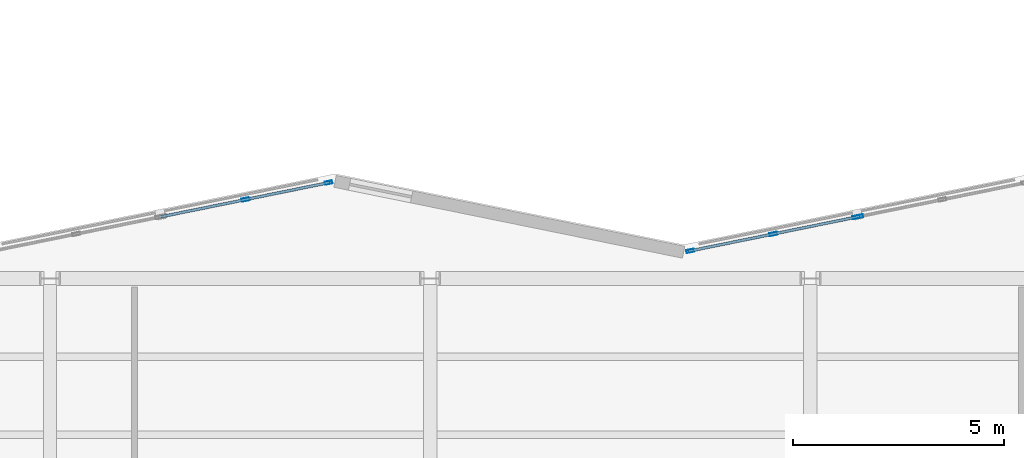
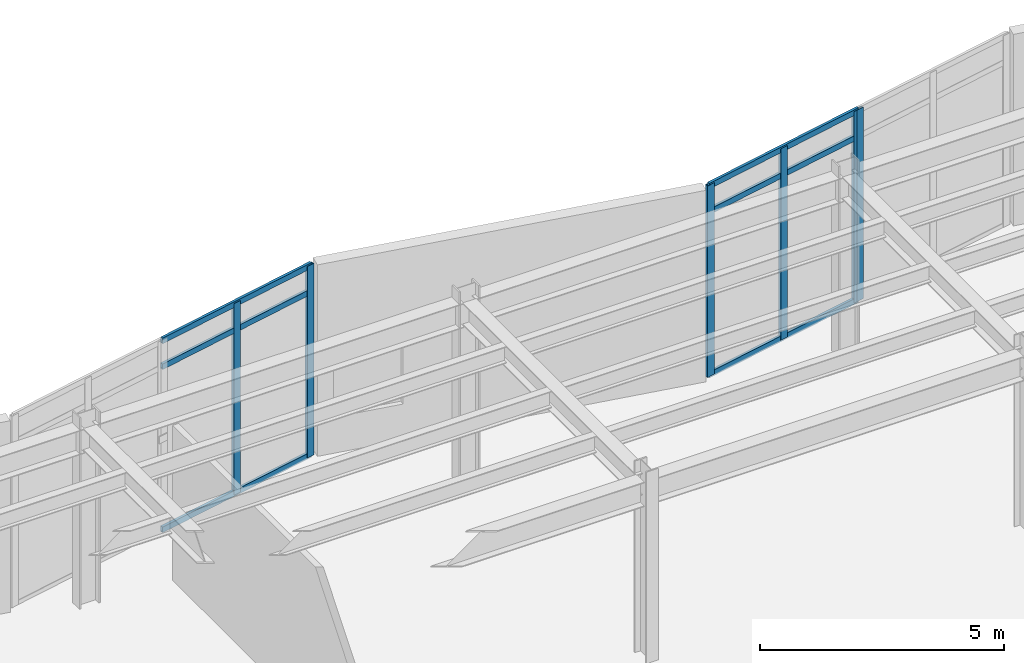
# One storey, part 44 of 91: 12 members, 3 elements without a shape of their own.
"""IFC4 building model written with IfcOpenShell, lengths in metres."""

from ifc_helpers import new_model, si_unit, direction, frame, origin, origin_2d, place, context, subcontext, project, spatial, hollow_rectangle, extrude, material, layer, layer_set, material_profile, profile_set, type_object, element, aggregate, save


model = new_model("IFC4")

# Units and contexts
model_context = context("Model", 3, precision=1e-05, world=origin(), true_north=direction((0.0, 1.0)))
body_context = subcontext(model_context, "Body", "Model", "MODEL_VIEW")
ifc_project = project(units=[si_unit("LENGTHUNIT", "METRE"), si_unit("AREAUNIT", "SQUARE_METRE"), si_unit("VOLUMEUNIT", "CUBIC_METRE"), si_unit("PLANEANGLEUNIT", "RADIAN"), si_unit("MASSUNIT", "GRAM", prefix="KILO")], contexts=[model_context])

# Site, building, storey
site_placement = place(None, origin())
site = spatial("IfcSite", under=ifc_project, at=site_placement, CompositionType="ELEMENT")
building_placement = place(site_placement, origin())
building = spatial("IfcBuilding", under=site, at=building_placement, Name="Sollismere Congress Hotel", CompositionType="ELEMENT")
storey_placement = place(building_placement, frame((0.0, 0.0, 10.800048828125)))
storey = spatial("IfcBuildingStorey", under=building, at=storey_placement, Name="L02", CompositionType="ELEMENT", Elevation=10.800048828125)

# Curtain wall, members
ifc_material_1 = material(Name="Anodized Bronze Curtain Wall & Low-E Triple Glazing", Category="glass")
ifc_layer = layer(ifc_material_1, 0.199951171875, Name="Anodized Bronze Curtain Wall & Low-E Triple Glazing")
ifc_layer_set = layer_set([ifc_layer], Name="Anodized Bronze Curtain Wall & Low-E Triple Glazing")
curtain_wall_type = type_object("IfcCurtainWallType", Name="CW-GLZ36", PredefinedType="USERDEFINED", material=ifc_layer_set)
curtain_wall_1_placement = place(storey_placement, origin())
curtain_wall_1 = element("IfcCurtainWall", 1, at=curtain_wall_1_placement, inside=storey, type_object=curtain_wall_type, Name="Unitised curtain wall CW-L02-100", ObjectType="UNITISED CURTAIN WALL", PredefinedType="USERDEFINED")
ifc_material_2 = material(Name="Anodized Aluminum 6063-T6", Category="aluminium")
ifc_material_profile_1 = material_profile(ifc_material_2, hollow_rectangle(XDim=0.074951171875, YDim=0.179931640625, WallThickness=0.0048828125, at=origin_2d()), Name="ALU180X75X5")
ifc_profile_set_1 = profile_set([ifc_material_profile_1], Name="Anodized Aluminum 6063-T6")
member_type_1 = type_object("IfcMemberType", Name="ML-CW180", PredefinedType="MULLION", material=ifc_profile_set_1)
member_1_placement = place(storey_placement, frame((80.628662109375, 104.266845703125, 0.0), z_axis=(0.0, 0.0, 1.0), x_axis=(-0.199367934417, 0.979924704621, 0.0)))
member_1 = element("IfcMember", 2, at=member_1_placement, type_object=member_type_1, Name="CWL-CW-L02-100-ML02", PredefinedType="MULLION", context=body_context, shape_type="SweptSolid", body=[
    extrude(hollow_rectangle(XDim=0.074951171875, YDim=0.179931640625, WallThickness=0.0048828125, at=origin_2d()), origin(), (0.0, 0.0, 1.0), 4.800048828125),
])
member_2_placement = place(storey_placement, frame((82.59521484375, 104.6669921875, 0.0), z_axis=(0.0, 0.0, 1.0), x_axis=(-0.199367934417, 0.979924704621, 0.0)))
member_2 = element("IfcMember", 3, at=member_2_placement, type_object=member_type_1, Name="CWL-CW-L02-100-ML03", PredefinedType="MULLION", context=body_context, shape_type="SweptSolid", body=[
    extrude(hollow_rectangle(XDim=0.074951171875, YDim=0.179931640625, WallThickness=0.0048828125, at=origin_2d()), origin(), (0.0, 0.0, 1.0), 4.800048828125),
])

curtain_wall_2_placement = place(storey_placement, origin())
curtain_wall_2 = element("IfcCurtainWall", 4, at=curtain_wall_2_placement, inside=storey, type_object=curtain_wall_type, Name="Unitised curtain wall CW-L02-101", ObjectType="UNITISED CURTAIN WALL", PredefinedType="USERDEFINED")
member_3_placement = place(storey_placement, frame((91.15478515625, 103.051513671875, 0.0), z_axis=(0.0, 0.0, 1.0), x_axis=(-0.199367934417, 0.979924704621, 0.0)))
member_3 = element("IfcMember", 5, at=member_3_placement, type_object=member_type_1, Name="CWL-CW-L02-101-ML01", PredefinedType="MULLION", context=body_context, shape_type="SweptSolid", body=[
    extrude(hollow_rectangle(XDim=0.074951171875, YDim=0.179931640625, WallThickness=0.0048828125, at=origin_2d()), origin(), (0.0, 0.0, 1.0), 4.800048828125),
])
member_4_placement = place(storey_placement, frame((93.121337890625, 103.45166015625, 0.0), z_axis=(0.0, 0.0, 1.0), x_axis=(-0.199367934417, 0.979924704621, 0.0)))
member_4 = element("IfcMember", 6, at=member_4_placement, type_object=member_type_1, Name="CWL-CW-L02-101-ML02", PredefinedType="MULLION", context=body_context, shape_type="SweptSolid", body=[
    extrude(hollow_rectangle(XDim=0.074951171875, YDim=0.179931640625, WallThickness=0.0048828125, at=origin_2d()), origin(), (0.0, 0.0, 1.0), 4.800048828125),
])
member_5_placement = place(storey_placement, frame((95.087890625, 103.851806640625, 0.0), z_axis=(0.0, 0.0, 1.0), x_axis=(-0.199367934417, 0.979924704621, 0.0)))
member_5 = element("IfcMember", 7, at=member_5_placement, type_object=member_type_1, Name="CWL-CW-L02-101-ML03", PredefinedType="MULLION", context=body_context, shape_type="SweptSolid", body=[
    extrude(hollow_rectangle(XDim=0.074951171875, YDim=0.179931640625, WallThickness=0.0048828125, at=origin_2d()), origin(), (0.0, 0.0, 1.0), 4.800048828125),
])

# Curtain wall, member
curtain_wall_3_placement = place(storey_placement, origin())
curtain_wall_3 = element("IfcCurtainWall", 8, at=curtain_wall_3_placement, inside=storey, type_object=curtain_wall_type, Name="Unitised curtain wall CW-L02-102", ObjectType="UNITISED CURTAIN WALL", PredefinedType="USERDEFINED")
member_6_placement = place(storey_placement, frame((95.162109375, 103.86669921875, 0.0), z_axis=(0.0, 0.0, 1.0), x_axis=(-0.199367934417, 0.979924704621, 0.0)))
member_6 = element("IfcMember", 9, at=member_6_placement, type_object=member_type_1, Name="CWL-CW-L02-102-ML01", PredefinedType="MULLION", context=body_context, shape_type="SweptSolid", body=[
    extrude(hollow_rectangle(XDim=0.074951171875, YDim=0.179931640625, WallThickness=0.0048828125, at=origin_2d()), origin(), (0.0, 0.0, 1.0), 4.800048828125),
])
aggregate(curtain_wall_3, [member_6])

# Member
ifc_material_profile_2 = material_profile(ifc_material_2, hollow_rectangle(XDim=0.06494140625, YDim=0.139892578125, WallThickness=0.00390625, at=origin_2d()), Name="ALU140X65X4")
ifc_profile_set_2 = profile_set([ifc_material_profile_2], Name="Anodized Aluminum 6063-T6")
member_type_2 = type_object("IfcMemberType", Name="TR-CW150", PredefinedType="MEMBER", material=ifc_profile_set_2)
member_7_placement = place(storey_placement, frame((78.625, 103.859375, 0.032470703125), z_axis=(0.979930139944, 0.199341217087, 0.0), x_axis=(-0.199341217087, 0.979930139944, 0.0)))
member_7 = element("IfcMember", 10, at=member_7_placement, type_object=member_type_2, Name="CWL-CW-L02-100-TR1", PredefinedType="MEMBER", context=body_context, shape_type="SweptSolid", body=[
    extrude(hollow_rectangle(XDim=0.06494140625, YDim=0.139892578125, WallThickness=0.00390625, at=origin_2d()), origin(), (0.0, 0.0, 1.0), 4.08935546875),
])

member_8_placement = place(storey_placement, frame((78.625, 103.859375, 4.119873046875), z_axis=(0.979930139944, 0.199341217087, 0.0), x_axis=(-0.199341217087, 0.979930139944, 0.0)))
member_8 = element("IfcMember", 11, at=member_8_placement, type_object=member_type_2, Name="CWL-CW-L02-100-TR2", PredefinedType="MEMBER", context=body_context, shape_type="SweptSolid", body=[
    extrude(hollow_rectangle(XDim=0.06494140625, YDim=0.139892578125, WallThickness=0.00390625, at=origin_2d()), origin(), (0.0, 0.0, 1.0), 4.08935546875),
])

member_9_placement = place(storey_placement, frame((78.625, 103.859375, 4.767333984375), z_axis=(0.979930139944, 0.199341217087, 0.0), x_axis=(-0.199341217087, 0.979930139944, 0.0)))
member_9 = element("IfcMember", 12, at=member_9_placement, type_object=member_type_2, Name="CWL-CW-L02-100-TR3", PredefinedType="MEMBER", context=body_context, shape_type="SweptSolid", body=[
    extrude(hollow_rectangle(XDim=0.06494140625, YDim=0.139892578125, WallThickness=0.00390625, at=origin_2d()), origin(), (0.0, 0.0, 1.0), 4.08935546875),
])

aggregate(curtain_wall_1, [member_1, member_2, member_7, member_8, member_9])

member_10_placement = place(storey_placement, frame((91.11767578125, 103.0439453125, 0.032470703125), z_axis=(0.979918476409, 0.199398544609, 0.0), x_axis=(-0.199398544609, 0.979918476409, 0.0)))
member_10 = element("IfcMember", 13, at=member_10_placement, type_object=member_type_2, Name="CWL-CW-L02-101-TR1", PredefinedType="MEMBER", context=body_context, shape_type="SweptSolid", body=[
    extrude(hollow_rectangle(XDim=0.06494140625, YDim=0.139892578125, WallThickness=0.00390625, at=origin_2d()), origin(), (0.0, 0.0, 1.0), 4.08935546875),
])

member_11_placement = place(storey_placement, frame((91.11767578125, 103.0439453125, 4.119873046875), z_axis=(0.979918476409, 0.199398544609, 0.0), x_axis=(-0.199398544609, 0.979918476409, 0.0)))
member_11 = element("IfcMember", 14, at=member_11_placement, type_object=member_type_2, Name="CWL-CW-L02-101-TR2", PredefinedType="MEMBER", context=body_context, shape_type="SweptSolid", body=[
    extrude(hollow_rectangle(XDim=0.06494140625, YDim=0.139892578125, WallThickness=0.00390625, at=origin_2d()), origin(), (0.0, 0.0, 1.0), 4.08935546875),
])

member_12_placement = place(storey_placement, frame((91.11767578125, 103.0439453125, 4.767333984375), z_axis=(0.979918476409, 0.199398544609, 0.0), x_axis=(-0.199398544609, 0.979918476409, 0.0)))
member_12 = element("IfcMember", 15, at=member_12_placement, type_object=member_type_2, Name="CWL-CW-L02-101-TR3", PredefinedType="MEMBER", context=body_context, shape_type="SweptSolid", body=[
    extrude(hollow_rectangle(XDim=0.06494140625, YDim=0.139892578125, WallThickness=0.00390625, at=origin_2d()), origin(), (0.0, 0.0, 1.0), 4.08935546875),
])

aggregate(curtain_wall_2, [member_3, member_4, member_5, member_10, member_11, member_12])

save(model, "model.ifc")
